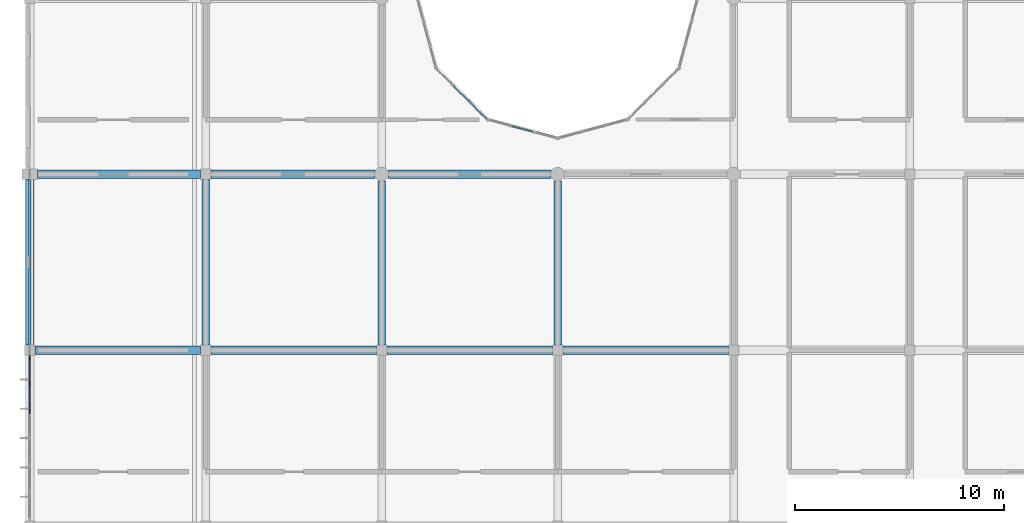
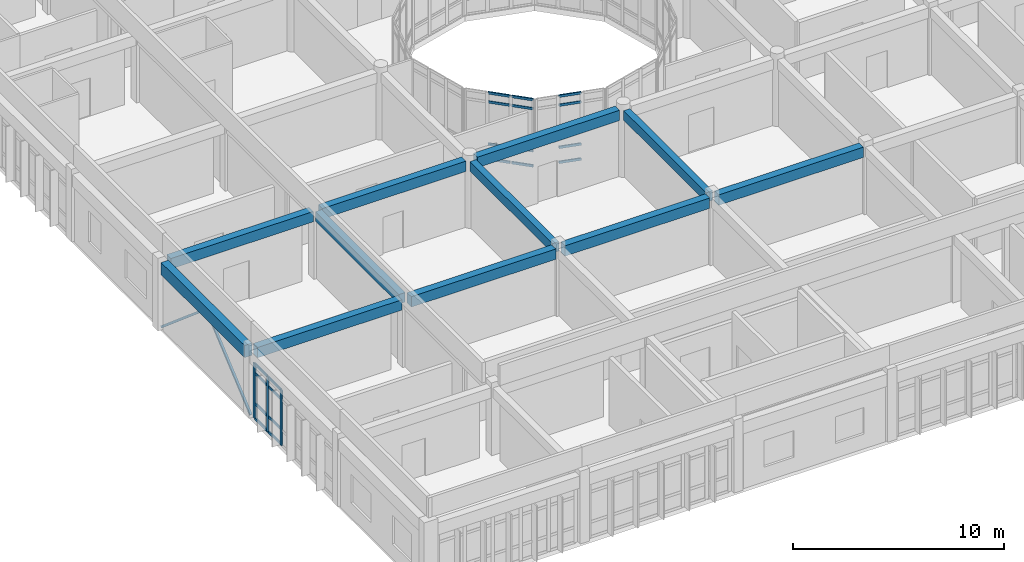
# One storey, part 17 of 119: 25 members, 11 beams, 3 elements without a shape of their own.
"""IFC4 building model written with IfcOpenShell, lengths in metres."""

import ifcopenshell
import ifcopenshell.guid

model = None  # the IFC model being written
_history = None  # IfcOwnerHistory: only IFC2X3 demands one
_inside = {}  # id of a spatial element -> (the spatial element, [elements in it])
_under = {}  # id of a project, library or spatial element -> (it, [spatial elements below it])
_declared = {}  # id of a project -> (the project, [libraries it declares])
_typed = {}  # id of a type object -> (the type object, [elements of that type])
_made_of = {}  # id of a material, layer set ... -> (it, [elements and type objects made of it])


def new_model(schema):
    """Start an empty IFC model of exactly this schema.

    Asked for "IFC4X3", IfcOpenShell would pick the latest addendum, in which some entities
    have other attributes; the version numbers below select the first issue.
    IFC2X3 requires an IfcOwnerHistory on every rooted entity: one is made here for all.
    """
    global model, _history
    if schema == "IFC4X3":
        model = ifcopenshell.file(schema_version=(4, 3, 0, 0))
    else:
        model = ifcopenshell.file(schema=schema)
    _inside.clear()
    _under.clear()
    _declared.clear()
    _typed.clear()
    _made_of.clear()
    _history = None
    if model.schema == "IFC2X3":
        org = make("IfcOrganization", Name="unknown")
        user = make(
            "IfcPersonAndOrganization",
            ThePerson=make("IfcPerson", FamilyName="unknown"),
            TheOrganization=org,
        )
        app = make(
            "IfcApplication",
            ApplicationDeveloper=org,
            Version="unknown",
            ApplicationFullName="unknown",
            ApplicationIdentifier="unknown",
        )
        _history = make(
            "IfcOwnerHistory",
            OwningUser=user,
            OwningApplication=app,
            ChangeAction="ADDED",
            CreationDate=0,
        )
    return model


def make(cls, **values):
    """One entity of the class cls with the attributes given. An attribute that is None is left unset."""
    return model.create_entity(
        cls, **{name: value for name, value in values.items() if value is not None}
    )


def rooted(cls, **values):
    """An entity with a GlobalId (a new one), such as an element, a storey or a relation."""
    return make(cls, GlobalId=ifcopenshell.guid.new(), OwnerHistory=_history, **values)


def si_unit(unit_type, name, prefix=None):
    """IfcSIUnit, for example si_unit("LENGTHUNIT", "METRE", prefix="MILLI")."""
    return make("IfcSIUnit", UnitType=unit_type, Prefix=prefix, Name=name)


def assignment(units):
    """IfcUnitAssignment: the units of a project."""
    return None if units is None else make("IfcUnitAssignment", Units=units)


def point(xyz):
    """IfcCartesianPoint."""
    return None if xyz is None else make("IfcCartesianPoint", Coordinates=xyz)


def direction(xyz):
    """IfcDirection."""
    return None if xyz is None else make("IfcDirection", DirectionRatios=xyz)


def frame(location, z_axis=None, x_axis=None):
    """IfcAxis2Placement3D, a coordinate frame: its origin and axes. An axis left out is left unset."""
    return make(
        "IfcAxis2Placement3D",
        Location=point(location),
        Axis=direction(z_axis),
        RefDirection=direction(x_axis),
    )


def frame_2d(location, x_axis=None):
    """IfcAxis2Placement2D, a coordinate frame in the plane: its origin and x axis."""
    return make(
        "IfcAxis2Placement2D", Location=point(location), RefDirection=direction(x_axis)
    )


def origin():
    """The frame at (0, 0, 0) with its axes left unset."""
    return frame((0.0, 0.0, 0.0))


def origin_2d():
    """The frame at (0, 0) in the plane with its x axis left unset."""
    return frame_2d((0.0, 0.0))


def place(relative_to, where):
    """IfcLocalPlacement: puts the frame where relative to a parent placement (None: the world)."""
    return make(
        "IfcLocalPlacement", PlacementRelTo=relative_to, RelativePlacement=where
    )


def context(
    kind, dimensions, precision=None, world=None, true_north=None, identifier=None
):
    """IfcGeometricRepresentationContext, for example the 3D "Model" context."""
    return make(
        "IfcGeometricRepresentationContext",
        ContextIdentifier=identifier,
        ContextType=kind,
        CoordinateSpaceDimension=dimensions,
        Precision=precision,
        WorldCoordinateSystem=world,
        TrueNorth=true_north,
    )


def subcontext(parent, identifier, kind, view, scale=None):
    """IfcGeometricRepresentationSubContext, for example "Body" below "Model"."""
    return make(
        "IfcGeometricRepresentationSubContext",
        ContextIdentifier=identifier,
        ContextType=kind,
        ParentContext=parent,
        TargetScale=scale,
        TargetView=view,
    )


def project(units=None, contexts=None):
    """IfcProject with its units and contexts."""
    return rooted(
        "IfcProject",
        Name="project",
        RepresentationContexts=contexts,
        UnitsInContext=assignment(units),
    )


def spatial(cls, under=None, at=None, **own):
    """A site, building, storey or space (cls), placed at a placement, below another one or the project."""
    s = rooted(cls, ObjectPlacement=at, **own)
    if under is not None:
        _under.setdefault(under.id(), (under, []))[1].append(s)
    return s


def profile(cls, at=None, kind="AREA", **sizes):
    """A parametric profile (cls). Its sizes go by their IFC names, for example OverallWidth=200.0."""
    return make(cls, ProfileType=kind, Position=at, **sizes)


def rectangle(**sizes):
    """IfcRectangleProfileDef."""
    return profile("IfcRectangleProfileDef", **sizes)


def hollow_rectangle(**sizes):
    """IfcRectangleHollowProfileDef."""
    return profile("IfcRectangleHollowProfileDef", **sizes)


def extrude(swept, where, along, depth):
    """IfcExtrudedAreaSolid: the profile swept, set in the frame where, extruded along a direction by depth."""
    return make(
        "IfcExtrudedAreaSolid",
        SweptArea=swept,
        Position=where,
        ExtrudedDirection=direction(along),
        Depth=depth,
    )


def shape(context_of_items, identifier, shape_type, items):
    """IfcShapeRepresentation: the items that make up one representation, for example the "Body"."""
    return make(
        "IfcShapeRepresentation",
        ContextOfItems=context_of_items,
        RepresentationIdentifier=identifier,
        RepresentationType=shape_type,
        Items=items,
    )


def material(Name=None, Category=None):
    """IfcMaterial."""
    return make("IfcMaterial", Name=Name, Category=Category)


def layer(
    of_material, thickness, ventilated=None, Name=None, Category=None, Priority=None
):
    """IfcMaterialLayer: one layer of a wall or slab, of a material (None: an air gap)."""
    return make(
        "IfcMaterialLayer",
        Material=of_material,
        LayerThickness=thickness,
        IsVentilated=ventilated,
        Name=Name,
        Category=Category,
        Priority=Priority,
    )


def layer_set(layers, Name=None):
    """IfcMaterialLayerSet."""
    return make("IfcMaterialLayerSet", MaterialLayers=layers, LayerSetName=Name)


def material_profile(
    of_material, cross_section, Name=None, Category=None, Priority=None
):
    """IfcMaterialProfile: a cross section and its material."""
    return make(
        "IfcMaterialProfile",
        Name=Name,
        Material=of_material,
        Profile=cross_section,
        Priority=Priority,
        Category=Category,
    )


def profile_set(profiles, Name=None, composite=None):
    """IfcMaterialProfileSet."""
    return make(
        "IfcMaterialProfileSet",
        Name=Name,
        MaterialProfiles=profiles,
        CompositeProfile=composite,
    )


def made_of(thing, what):
    """Note that an element or type object is made of a material, layer set ...; save() writes the relation."""
    if what is not None:
        _made_of.setdefault(what.id(), (what, []))[1].append(thing)
    return thing


def type_object(cls, material=None, **own):
    """A type object (cls), such as IfcWallType, which elements share."""
    return made_of(rooted(cls, **own), material)


def element(
    cls,
    number,
    at=None,
    inside=None,
    cuts=None,
    type_object=None,
    material=None,
    context=None,
    identifier="Body",
    shape_type=None,
    held_by="IfcProductDefinitionShape",
    body=None,
    shapes=None,
    **own,
):
    """One element of the class cls, such as IfcWall. Its Tag is "e" and its number.

    at: its placement. inside: the storey or other place that contains it. cuts: it is an
    opening in that element (IfcRelVoidsElement). A single representation is given by context,
    identifier, shape_type and body (its items); several are given by shapes. held_by: the class
    of the entity that holds the representations. save() writes the other relations.
    """
    e = rooted(cls, Tag="e%d" % number, ObjectPlacement=at, **own)
    if body is not None:
        shapes = [shape(context, identifier, shape_type, body)]
    if shapes is not None:
        e.Representation = make(held_by, Representations=shapes)
    if inside is not None:
        _inside.setdefault(inside.id(), (inside, []))[1].append(e)
    if cuts is not None:
        rooted(
            "IfcRelVoidsElement", RelatingBuildingElement=cuts, RelatedOpeningElement=e
        )
    if type_object is not None:
        _typed.setdefault(type_object.id(), (type_object, []))[1].append(e)
    return made_of(e, material)


def aggregate(whole, parts):
    """IfcRelAggregates: a whole, such as a stair, and the parts it consists of."""
    return rooted("IfcRelAggregates", RelatingObject=whole, RelatedObjects=parts)


def save(model, path):
    """Write the relations noted so far, then the file.

    IfcRelAggregates (storeys below a building ...), IfcRelContainedInSpatialStructure (elements
    in a storey), IfcRelDefinesByType, IfcRelAssociatesMaterial and IfcRelDeclares: one each for
    every whole, place, type object, material and project.
    """
    for whole, parts in _under.values():
        aggregate(whole, parts)
    for where, things in _inside.values():
        rooted(
            "IfcRelContainedInSpatialStructure",
            RelatedElements=things,
            RelatingStructure=where,
        )
    for kind, things in _typed.values():
        rooted("IfcRelDefinesByType", RelatedObjects=things, RelatingType=kind)
    for what, things in _made_of.values():
        rooted("IfcRelAssociatesMaterial", RelatedObjects=things, RelatingMaterial=what)
    for by, libraries in _declared.values():
        rooted("IfcRelDeclares", RelatingContext=by, RelatedDefinitions=libraries)
    model.write(path)


model = new_model("IFC4")

# Units and contexts
model_context = context("Model", 3, precision=1e-05, world=origin(), true_north=direction((0.0, 1.0)))
body_context = subcontext(model_context, "Body", "Model", "MODEL_VIEW")
ifc_project = project(units=[si_unit("LENGTHUNIT", "METRE"), si_unit("AREAUNIT", "SQUARE_METRE"), si_unit("VOLUMEUNIT", "CUBIC_METRE"), si_unit("PLANEANGLEUNIT", "RADIAN"), si_unit("MASSUNIT", "GRAM", prefix="KILO")], contexts=[model_context])

# Site, building, storey
site_placement = place(None, origin())
site = spatial("IfcSite", under=ifc_project, at=site_placement, CompositionType="ELEMENT")
building_placement = place(site_placement, origin())
building = spatial("IfcBuilding", under=site, at=building_placement, Name="Bramfleet General Hospital", CompositionType="ELEMENT")
storey_placement = place(building_placement, frame((0.0, 0.0, 14.39990234375)))
storey = spatial("IfcBuildingStorey", under=building, at=storey_placement, Name="L03", CompositionType="ELEMENT", Elevation=14.39990234375)

# Beams
ifc_material_1 = material(Name="Concrete C35/45", Category="concrete")
ifc_material_profile_1 = material_profile(ifc_material_1, rectangle(XDim=0.35009765625, YDim=0.550048828125, at=origin_2d()), Name="RC BM 550x350")
ifc_profile_set_1 = profile_set([ifc_material_profile_1], Name="Concrete C35/45")
beam_type_1 = type_object("IfcBeamType", Name="BM-RC550", PredefinedType="BEAM", material=ifc_profile_set_1)
beam_1_placement = place(storey_placement, frame((8.39990234375, 67.449951171875, 3.614990234375), z_axis=(0.0, 1.0, 0.0), x_axis=(-1.0, 0.0, 0.0)))
element("IfcBeam", 1, at=beam_1_placement, inside=storey, type_object=beam_type_1, Name="L03 Grid Beam Y 01-08", PredefinedType="BEAM", context=body_context, shape_type="SweptSolid", body=[
    extrude(rectangle(XDim=0.35009765625, YDim=0.550048828125, at=origin_2d()), origin(), (0.0, 0.0, 1.0), 7.900146484375),
])
for number, where, z_axis, x_axis, name in (
    (2, (16.800048828125, 67.449951171875, 3.614990234375), (0.0, 1.0, 0.0), (-1.0, 0.0, 0.0), "L03 Grid Beam Y 02-08"),
    (3, (25.199951171875, 67.449951171875, 3.614990234375), (0.0, 1.0, 0.0), (-1.0, 0.0, 0.0), "L03 Grid Beam Y 03-08"),
):
    element("IfcBeam", number, at=place(storey_placement, frame(where, z_axis=z_axis, x_axis=x_axis)), inside=storey, type_object=beam_type_1, Name=name, PredefinedType="BEAM", context=body_context, shape_type="SweptSolid", body=[
        extrude(rectangle(XDim=0.35009765625, YDim=0.550048828125, at=origin_2d()), origin(), (0.0, 0.0, 1.0), 7.824951171875),
    ])
ifc_material_profile_2 = material_profile(ifc_material_1, rectangle(XDim=0.39990234375, YDim=0.60009765625, at=origin_2d()), Name="RC BM 600x400")
ifc_profile_set_2 = profile_set([ifc_material_profile_2], Name="Concrete C35/45")
beam_type_2 = type_object("IfcBeamType", Name="BM-RC600", PredefinedType="BEAM", material=ifc_profile_set_2)
beam_2_placement = place(storey_placement, frame((0.25, 67.199951171875, 3.60009765625), z_axis=(1.0, 0.0, 0.0), x_axis=(0.0, 1.0, 0.0)))
element("IfcBeam", 4, at=beam_2_placement, inside=storey, type_object=beam_type_2, Name="L03 Grid Beam X 00-08", PredefinedType="BEAM", context=body_context, shape_type="SweptSolid", body=[
    extrude(rectangle(XDim=0.39990234375, YDim=0.60009765625, at=origin_2d()), origin(), (0.0, 0.0, 1.0), 7.89990234375),
])
beam_3_placement = place(storey_placement, frame((0.375, 75.60009765625, 3.60009765625), z_axis=(1.0, 0.0, 0.0), x_axis=(0.0, 1.0, 0.0)))
element("IfcBeam", 5, at=beam_3_placement, inside=storey, type_object=beam_type_2, Name="L03 Grid Beam X 00-09", PredefinedType="BEAM", context=body_context, shape_type="SweptSolid", body=[
    extrude(rectangle(XDim=0.39990234375, YDim=0.60009765625, at=origin_2d()), origin(), (0.0, 0.0, 1.0), 7.77490234375),
])
beam_4_placement = place(storey_placement, frame((8.64990234375, 67.199951171875, 3.590087890625), z_axis=(1.0, 0.0, 0.0), x_axis=(0.0, 1.0, 0.0)))
element("IfcBeam", 6, at=beam_4_placement, inside=storey, type_object=beam_type_2, Name="L03 Grid Beam X 01-08", PredefinedType="BEAM", context=body_context, shape_type="SweptSolid", body=[
    extrude(rectangle(XDim=0.39990234375, YDim=0.60009765625, at=origin_2d()), origin(), (0.0, 0.0, 1.0), 7.900146484375),
])
beam_5_placement = place(storey_placement, frame((8.64990234375, 75.60009765625, 3.590087890625), z_axis=(1.0, 0.0, 0.0), x_axis=(0.0, 1.0, 0.0)))
element("IfcBeam", 7, at=beam_5_placement, inside=storey, type_object=beam_type_2, Name="L03 Grid Beam X 01-09", PredefinedType="BEAM", context=body_context, shape_type="SweptSolid", body=[
    extrude(rectangle(XDim=0.39990234375, YDim=0.60009765625, at=origin_2d()), origin(), (0.0, 0.0, 1.0), 7.8251953125),
])
beam_6_placement = place(storey_placement, frame((17.050048828125, 67.199951171875, 3.590087890625), z_axis=(1.0, 0.0, 0.0), x_axis=(0.0, 1.0, 0.0)))
element("IfcBeam", 8, at=beam_6_placement, inside=storey, type_object=beam_type_2, Name="L03 Grid Beam X 02-08", PredefinedType="BEAM", context=body_context, shape_type="SweptSolid", body=[
    extrude(rectangle(XDim=0.39990234375, YDim=0.60009765625, at=origin_2d()), origin(), (0.0, 0.0, 1.0), 7.89990234375),
])
beam_7_placement = place(storey_placement, frame((17.125, 75.60009765625, 3.590087890625), z_axis=(1.0, 0.0, 0.0), x_axis=(0.0, 1.0, 0.0)))
element("IfcBeam", 9, at=beam_7_placement, inside=storey, type_object=beam_type_2, Name="L03 Grid Beam X 02-09", PredefinedType="BEAM", context=body_context, shape_type="SweptSolid", body=[
    extrude(rectangle(XDim=0.39990234375, YDim=0.60009765625, at=origin_2d()), origin(), (0.0, 0.0, 1.0), 7.75),
])
beam_8_placement = place(storey_placement, frame((25.449951171875, 67.199951171875, 3.590087890625), z_axis=(1.0, 0.0, 0.0), x_axis=(0.0, 1.0, 0.0)))
element("IfcBeam", 10, at=beam_8_placement, inside=storey, type_object=beam_type_2, Name="L03 Grid Beam X 03-08", PredefinedType="BEAM", context=body_context, shape_type="SweptSolid", body=[
    extrude(rectangle(XDim=0.39990234375, YDim=0.60009765625, at=origin_2d()), origin(), (0.0, 0.0, 1.0), 7.900146484375),
])
ifc_material_profile_3 = material_profile(ifc_material_1, rectangle(XDim=0.39990234375, YDim=0.699951171875, at=origin_2d()), Name="RC SP 700x400")
ifc_profile_set_3 = profile_set([ifc_material_profile_3], Name="Concrete C35/45")
beam_type_3 = type_object("IfcBeamType", Name="BM-SP700", PredefinedType="SPANDREL", material=ifc_profile_set_3)
beam_9_placement = place(storey_placement, frame((0.0, 67.449951171875, 3.550048828125), z_axis=(0.0, 1.0, 0.0), x_axis=(-1.0, 0.0, 0.0)))
element("IfcBeam", 11, at=beam_9_placement, inside=storey, type_object=beam_type_3, Name="L03 Grid Beam Y 00-08", PredefinedType="SPANDREL", context=body_context, shape_type="SweptSolid", body=[
    extrude(rectangle(XDim=0.39990234375, YDim=0.699951171875, at=origin_2d()), origin(), (0.0, 0.0, 1.0), 7.900146484375),
])

# Curtain wall, members
ifc_material_2 = material(Name="Anodised aluminium and low-E triple glazing", Category="aluminium")
ifc_layer_1 = layer(ifc_material_2, 0.179931640625, Name="CWT-CW-16")
ifc_layer_set_1 = layer_set([ifc_layer_1], Name="Anodised aluminium and low-E triple glazing")
curtain_wall_type_1 = type_object("IfcCurtainWallType", Name="CWT-CW-16", PredefinedType="USERDEFINED", material=ifc_layer_set_1)
curtain_wall_1_placement = place(storey_placement, origin())
curtain_wall_1 = element("IfcCurtainWall", 12, at=curtain_wall_1_placement, inside=storey, type_object=curtain_wall_type_1, Name="L03 Curtain Wall 142", ObjectType="Stick curtain wall", PredefinedType="USERDEFINED")
ifc_material_3 = material(Name="Structural timber GL28h", Category="wood")
ifc_material_profile_4 = material_profile(ifc_material_3, rectangle(XDim=0.070068359375, YDim=0.18994140625, at=origin_2d()), Name="LARCH 190x70")
ifc_profile_set_4 = profile_set([ifc_material_profile_4], Name="Structural timber GL28h")
member_type_1 = type_object("IfcMemberType", Name="CWM-LARCH450", PredefinedType="MULLION", material=ifc_profile_set_4)
member_1_placement = place(storey_placement, frame((0.0, 64.291748046875, 0.0), z_axis=(0.0, 0.0, 1.0), x_axis=(-1.0, 0.0, 0.0)))
member_1 = element("IfcMember", 13, at=member_1_placement, type_object=member_type_1, Name="CW-16 mullion 5", PredefinedType="MULLION", context=body_context, shape_type="SweptSolid", body=[
    extrude(rectangle(XDim=0.070068359375, YDim=0.18994140625, at=origin_2d()), origin(), (0.0, 0.0, 1.0), 3.190185546875),
])
member_2_placement = place(storey_placement, frame((0.0, 65.583251953125, 0.0), z_axis=(0.0, 0.0, 1.0), x_axis=(-1.0, 0.0, 0.0)))
member_2 = element("IfcMember", 14, at=member_2_placement, type_object=member_type_1, Name="CW-16 mullion 6", PredefinedType="MULLION", context=body_context, shape_type="SweptSolid", body=[
    extrude(rectangle(XDim=0.070068359375, YDim=0.18994140625, at=origin_2d()), origin(), (0.0, 0.0, 1.0), 3.190185546875),
])
member_3_placement = place(storey_placement, frame((0.0, 66.840087890625, 0.0), z_axis=(0.0, 0.0, 1.0), x_axis=(-1.0, 0.0, 0.0)))
member_3 = element("IfcMember", 15, at=member_3_placement, type_object=member_type_1, Name="CW-16 mullion 7", PredefinedType="MULLION", context=body_context, shape_type="SweptSolid", body=[
    extrude(rectangle(XDim=0.070068359375, YDim=0.18994140625, at=origin_2d()), origin(), (0.0, 0.0, 1.0), 3.190185546875),
])

ifc_layer_2 = layer(ifc_material_2, 0.179931640625, Name="CWT-CW-18")
ifc_layer_set_2 = layer_set([ifc_layer_2], Name="Anodised aluminium and low-E triple glazing")
curtain_wall_type_2 = type_object("IfcCurtainWallType", Name="CWT-CW-18", PredefinedType="USERDEFINED", material=ifc_layer_set_2)
curtain_wall_2_placement = place(storey_placement, origin())
curtain_wall_2 = element("IfcCurtainWall", 16, at=curtain_wall_2_placement, inside=storey, type_object=curtain_wall_type_2, Name="L03 West Clinical Light Court Curtain Wall 2.1", ObjectType="Stick curtain wall", PredefinedType="USERDEFINED")
ifc_material_4 = material(Name="Anodised aluminium EN AW-6060", Category="aluminium")
ifc_material_profile_5 = material_profile(ifc_material_4, hollow_rectangle(XDim=0.06494140625, YDim=0.139892578125, WallThickness=0.00390625, at=origin_2d()), Name="ALU 140x65x4.0")
ifc_profile_set_5 = profile_set([ifc_material_profile_5], Name="Anodised aluminium EN AW-6060")
member_type_2 = type_object("IfcMemberType", Name="CWT-ALU140", PredefinedType="USERDEFINED", material=ifc_profile_set_5)
member_4_placement = place(storey_placement, frame((20.239990234375, 79.807861328125, 0.03271484375), z_axis=(0.707106781187, -0.707106781187, 0.0), x_axis=(0.707106781187, 0.707106781187, 0.0)))
member_4 = element("IfcMember", 17, at=member_4_placement, type_object=member_type_2, Name="CW-18 transom 2.1", ObjectType="TRANSOM", PredefinedType="USERDEFINED", context=body_context, shape_type="SweptSolid", body=[
    extrude(hollow_rectangle(XDim=0.06494140625, YDim=0.139892578125, WallThickness=0.00390625, at=origin_2d()), origin(), (0.0, 0.0, 1.0), 1.0859375),
])
member_5_placement = place(storey_placement, frame((20.239990234375, 79.807861328125, 0.900146484375), z_axis=(0.707106781187, -0.707106781187, 0.0), x_axis=(0.707106781187, 0.707106781187, 0.0)))
member_5 = element("IfcMember", 18, at=member_5_placement, type_object=member_type_2, Name="CW-18 transom 2.2", ObjectType="TRANSOM", PredefinedType="USERDEFINED", context=body_context, shape_type="SweptSolid", body=[
    extrude(hollow_rectangle(XDim=0.06494140625, YDim=0.139892578125, WallThickness=0.00390625, at=origin_2d()), origin(), (0.0, 0.0, 1.0), 1.0859375),
])
member_6_placement = place(storey_placement, frame((20.239990234375, 79.807861328125, 3.340087890625), z_axis=(0.707106781187, -0.707106781187, 0.0), x_axis=(0.707106781187, 0.707106781187, 0.0)))
member_6 = element("IfcMember", 19, at=member_6_placement, type_object=member_type_2, Name="CW-18 transom 2.3", ObjectType="TRANSOM", PredefinedType="USERDEFINED", context=body_context, shape_type="SweptSolid", body=[
    extrude(hollow_rectangle(XDim=0.06494140625, YDim=0.139892578125, WallThickness=0.00390625, at=origin_2d()), origin(), (0.0, 0.0, 1.0), 1.0859375),
])
member_7_placement = place(storey_placement, frame((20.239990234375, 79.807861328125, 3.857666015625), z_axis=(0.707106781187, -0.707106781187, 0.0), x_axis=(0.707106781187, 0.707106781187, 0.0)))
member_7 = element("IfcMember", 20, at=member_7_placement, type_object=member_type_2, Name="CW-18 transom 2.4", ObjectType="TRANSOM", PredefinedType="USERDEFINED", context=body_context, shape_type="SweptSolid", body=[
    extrude(hollow_rectangle(XDim=0.06494140625, YDim=0.139892578125, WallThickness=0.00390625, at=origin_2d()), origin(), (0.0, 0.0, 1.0), 1.0859375),
])
member_8_placement = place(storey_placement, frame((21.057373046875, 78.990478515625, 0.03271484375), z_axis=(0.707222938356, -0.706990604933, 0.0), x_axis=(0.706990604933, 0.707222938356, 0.0)))
member_8 = element("IfcMember", 21, at=member_8_placement, type_object=member_type_2, Name="CW-18 transom 3.1", ObjectType="TRANSOM", PredefinedType="USERDEFINED", context=body_context, shape_type="SweptSolid", body=[
    extrude(hollow_rectangle(XDim=0.06494140625, YDim=0.139892578125, WallThickness=0.00390625, at=origin_2d()), origin(), (0.0, 0.0, 1.0), 1.05078125),
])
member_9_placement = place(storey_placement, frame((21.057373046875, 78.990478515625, 0.900146484375), z_axis=(0.707222938356, -0.706990604933, 0.0), x_axis=(0.706990604933, 0.707222938356, 0.0)))
member_9 = element("IfcMember", 22, at=member_9_placement, type_object=member_type_2, Name="CW-18 transom 3.2", ObjectType="TRANSOM", PredefinedType="USERDEFINED", context=body_context, shape_type="SweptSolid", body=[
    extrude(hollow_rectangle(XDim=0.06494140625, YDim=0.139892578125, WallThickness=0.00390625, at=origin_2d()), origin(), (0.0, 0.0, 1.0), 1.05078125),
])
member_10_placement = place(storey_placement, frame((21.057373046875, 78.990478515625, 3.340087890625), z_axis=(0.707222938356, -0.706990604933, 0.0), x_axis=(0.706990604933, 0.707222938356, 0.0)))
member_10 = element("IfcMember", 23, at=member_10_placement, type_object=member_type_2, Name="CW-18 transom 3.3", ObjectType="TRANSOM", PredefinedType="USERDEFINED", context=body_context, shape_type="SweptSolid", body=[
    extrude(hollow_rectangle(XDim=0.06494140625, YDim=0.139892578125, WallThickness=0.00390625, at=origin_2d()), origin(), (0.0, 0.0, 1.0), 1.05078125),
])
member_11_placement = place(storey_placement, frame((21.057373046875, 78.990478515625, 3.857666015625), z_axis=(0.707222938356, -0.706990604933, 0.0), x_axis=(0.706990604933, 0.707222938356, 0.0)))
member_11 = element("IfcMember", 24, at=member_11_placement, type_object=member_type_2, Name="CW-18 transom 3.4", ObjectType="TRANSOM", PredefinedType="USERDEFINED", context=body_context, shape_type="SweptSolid", body=[
    extrude(hollow_rectangle(XDim=0.06494140625, YDim=0.139892578125, WallThickness=0.00390625, at=origin_2d()), origin(), (0.0, 0.0, 1.0), 1.05078125),
])
aggregate(curtain_wall_2, [member_4, member_5, member_6, member_7, member_8, member_9, member_10, member_11])

ifc_layer_3 = layer(ifc_material_2, 0.179931640625, Name="CWT-CW-11")
ifc_layer_set_3 = layer_set([ifc_layer_3], Name="Anodised aluminium and low-E triple glazing")
curtain_wall_type_3 = type_object("IfcCurtainWallType", Name="CWT-CW-11", PredefinedType="USERDEFINED", material=ifc_layer_set_3)
curtain_wall_3_placement = place(storey_placement, origin())
curtain_wall_3 = element("IfcCurtainWall", 25, at=curtain_wall_3_placement, inside=storey, type_object=curtain_wall_type_3, Name="L03 West Clinical Light Court Curtain Wall 3.1", ObjectType="Stick curtain wall", PredefinedType="USERDEFINED")
member_12_placement = place(storey_placement, frame((23.00048828125, 77.8896484375, 0.03271484375), z_axis=(0.965890845787, -0.258949558843, 0.0), x_axis=(0.258949558843, 0.965890845787, 0.0)))
member_12 = element("IfcMember", 26, at=member_12_placement, type_object=member_type_2, Name="CW-11 transom 2.1", ObjectType="TRANSOM", PredefinedType="USERDEFINED", context=body_context, shape_type="SweptSolid", body=[
    extrude(hollow_rectangle(XDim=0.06494140625, YDim=0.139892578125, WallThickness=0.00390625, at=origin_2d()), origin(), (0.0, 0.0, 1.0), 1.086181640625),
])
member_13_placement = place(storey_placement, frame((23.00048828125, 77.8896484375, 0.900146484375), z_axis=(0.965890845787, -0.258949558843, 0.0), x_axis=(0.258949558843, 0.965890845787, 0.0)))
member_13 = element("IfcMember", 27, at=member_13_placement, type_object=member_type_2, Name="CW-11 transom 2.2", ObjectType="TRANSOM", PredefinedType="USERDEFINED", context=body_context, shape_type="SweptSolid", body=[
    extrude(hollow_rectangle(XDim=0.06494140625, YDim=0.139892578125, WallThickness=0.00390625, at=origin_2d()), origin(), (0.0, 0.0, 1.0), 1.086181640625),
])
member_14_placement = place(storey_placement, frame((23.00048828125, 77.8896484375, 3.340087890625), z_axis=(0.965890845787, -0.258949558843, 0.0), x_axis=(0.258949558843, 0.965890845787, 0.0)))
member_14 = element("IfcMember", 28, at=member_14_placement, type_object=member_type_2, Name="CW-11 transom 2.3", ObjectType="TRANSOM", PredefinedType="USERDEFINED", context=body_context, shape_type="SweptSolid", body=[
    extrude(hollow_rectangle(XDim=0.06494140625, YDim=0.139892578125, WallThickness=0.00390625, at=origin_2d()), origin(), (0.0, 0.0, 1.0), 1.086181640625),
])
member_15_placement = place(storey_placement, frame((23.00048828125, 77.8896484375, 3.857666015625), z_axis=(0.965890845787, -0.258949558843, 0.0), x_axis=(0.258949558843, 0.965890845787, 0.0)))
member_15 = element("IfcMember", 29, at=member_15_placement, type_object=member_type_2, Name="CW-11 transom 2.4", ObjectType="TRANSOM", PredefinedType="USERDEFINED", context=body_context, shape_type="SweptSolid", body=[
    extrude(hollow_rectangle(XDim=0.06494140625, YDim=0.139892578125, WallThickness=0.00390625, at=origin_2d()), origin(), (0.0, 0.0, 1.0), 1.086181640625),
])
aggregate(curtain_wall_3, [member_12, member_13, member_14, member_15])

# Member
ifc_material_profile_6 = material_profile(ifc_material_3, rectangle(XDim=0.06494140625, YDim=0.14990234375, at=origin_2d()), Name="LARCH 150x65")
ifc_profile_set_6 = profile_set([ifc_material_profile_6], Name="Structural timber GL28h")
member_type_3 = type_object("IfcMemberType", Name="CWT-LARCH220", PredefinedType="USERDEFINED", material=ifc_profile_set_6)
member_16_placement = place(storey_placement, frame((0.0, 64.32666015625, 0.03271484375), z_axis=(0.0, 1.0, 0.0), x_axis=(-1.0, 0.0, 0.0)))
member_16 = element("IfcMember", 30, at=member_16_placement, type_object=member_type_3, Name="CW-16 transom 5.1", ObjectType="TRANSOM", PredefinedType="USERDEFINED", context=body_context, shape_type="SweptSolid", body=[
    extrude(rectangle(XDim=0.06494140625, YDim=0.14990234375, at=origin_2d()), origin(), (0.0, 0.0, 1.0), 1.2216796875),
])

member_17_placement = place(storey_placement, frame((0.0, 64.32666015625, 0.900146484375), z_axis=(0.0, 1.0, 0.0), x_axis=(-1.0, 0.0, 0.0)))
member_17 = element("IfcMember", 31, at=member_17_placement, type_object=member_type_3, Name="CW-16 transom 5.2", ObjectType="TRANSOM", PredefinedType="USERDEFINED", context=body_context, shape_type="SweptSolid", body=[
    extrude(rectangle(XDim=0.06494140625, YDim=0.14990234375, at=origin_2d()), origin(), (0.0, 0.0, 1.0), 1.2216796875),
])

member_18_placement = place(storey_placement, frame((0.0, 64.32666015625, 2.64013671875), z_axis=(0.0, 1.0, 0.0), x_axis=(-1.0, 0.0, 0.0)))
member_18 = element("IfcMember", 32, at=member_18_placement, type_object=member_type_3, Name="CW-16 transom 5.3", ObjectType="TRANSOM", PredefinedType="USERDEFINED", context=body_context, shape_type="SweptSolid", body=[
    extrude(rectangle(XDim=0.06494140625, YDim=0.14990234375, at=origin_2d()), origin(), (0.0, 0.0, 1.0), 1.2216796875),
])

member_19_placement = place(storey_placement, frame((0.0, 64.32666015625, 3.15771484375), z_axis=(0.0, 1.0, 0.0), x_axis=(-1.0, 0.0, 0.0)))
member_19 = element("IfcMember", 33, at=member_19_placement, type_object=member_type_3, Name="CW-16 transom 5.4", ObjectType="TRANSOM", PredefinedType="USERDEFINED", context=body_context, shape_type="SweptSolid", body=[
    extrude(rectangle(XDim=0.06494140625, YDim=0.14990234375, at=origin_2d()), origin(), (0.0, 0.0, 1.0), 1.2216796875),
])

member_20_placement = place(storey_placement, frame((0.0, 65.618408203125, 0.03271484375), z_axis=(0.0, 1.0, 0.0), x_axis=(-1.0, 0.0, 0.0)))
member_20 = element("IfcMember", 34, at=member_20_placement, type_object=member_type_3, Name="CW-16 transom 6.1", ObjectType="TRANSOM", PredefinedType="USERDEFINED", context=body_context, shape_type="SweptSolid", body=[
    extrude(rectangle(XDim=0.06494140625, YDim=0.14990234375, at=origin_2d()), origin(), (0.0, 0.0, 1.0), 1.1865234375),
])

member_21_placement = place(storey_placement, frame((0.0, 65.618408203125, 0.900146484375), z_axis=(0.0, 1.0, 0.0), x_axis=(-1.0, 0.0, 0.0)))
member_21 = element("IfcMember", 35, at=member_21_placement, type_object=member_type_3, Name="CW-16 transom 6.2", ObjectType="TRANSOM", PredefinedType="USERDEFINED", context=body_context, shape_type="SweptSolid", body=[
    extrude(rectangle(XDim=0.06494140625, YDim=0.14990234375, at=origin_2d()), origin(), (0.0, 0.0, 1.0), 1.1865234375),
])

member_22_placement = place(storey_placement, frame((0.0, 65.618408203125, 2.64013671875), z_axis=(0.0, 1.0, 0.0), x_axis=(-1.0, 0.0, 0.0)))
member_22 = element("IfcMember", 36, at=member_22_placement, type_object=member_type_3, Name="CW-16 transom 6.3", ObjectType="TRANSOM", PredefinedType="USERDEFINED", context=body_context, shape_type="SweptSolid", body=[
    extrude(rectangle(XDim=0.06494140625, YDim=0.14990234375, at=origin_2d()), origin(), (0.0, 0.0, 1.0), 1.1865234375),
])

member_23_placement = place(storey_placement, frame((0.0, 65.618408203125, 3.15771484375), z_axis=(0.0, 1.0, 0.0), x_axis=(-1.0, 0.0, 0.0)))
member_23 = element("IfcMember", 37, at=member_23_placement, type_object=member_type_3, Name="CW-16 transom 6.4", ObjectType="TRANSOM", PredefinedType="USERDEFINED", context=body_context, shape_type="SweptSolid", body=[
    extrude(rectangle(XDim=0.06494140625, YDim=0.14990234375, at=origin_2d()), origin(), (0.0, 0.0, 1.0), 1.1865234375),
])

aggregate(curtain_wall_1, [member_1, member_2, member_3, member_16, member_17, member_18, member_19, member_20, member_21, member_22, member_23])

# Members
ifc_material_5 = material(Name="Steel S355", Category="steel")
ifc_material_profile_7 = material_profile(ifc_material_5, hollow_rectangle(XDim=0.1201171875, YDim=0.1201171875, WallThickness=0.008056640625, at=origin_2d()), Name="SHS 120x120x8.0")
ifc_profile_set_7 = profile_set([ifc_material_profile_7], Name="Steel S355")
member_type_4 = type_object("IfcMemberType", Name="MEM-BR-SHS120", PredefinedType="BRACE", material=ifc_profile_set_7)
member_24_placement = place(storey_placement, frame((0.0, 67.199951171875, -0.02001953125), z_axis=(0.0, 0.761929482481, 0.647659990834), x_axis=(-1.0, 0.0, 0.0)))
element("IfcMember", 38, at=member_24_placement, inside=storey, type_object=member_type_4, Name="L03 Chevron Brace 10A", PredefinedType="BRACE", context=body_context, shape_type="SweptSolid", body=[
    extrude(hollow_rectangle(XDim=0.1201171875, YDim=0.1201171875, WallThickness=0.008056640625, at=origin_2d()), origin(), (0.0, 0.0, 1.0), 5.51220703125),
])
member_25_placement = place(storey_placement, frame((0.0, 75.60009765625, -0.02001953125), z_axis=(0.0, -0.761948059787, 0.647638135217), x_axis=(1.0, 0.0, 0.0)))
element("IfcMember", 39, at=member_25_placement, inside=storey, type_object=member_type_4, Name="L03 Chevron Brace 10B", PredefinedType="BRACE", context=body_context, shape_type="SweptSolid", body=[
    extrude(hollow_rectangle(XDim=0.1201171875, YDim=0.1201171875, WallThickness=0.008056640625, at=origin_2d()), origin(), (0.0, 0.0, 1.0), 5.512451171875),
])

save(model, "model.ifc")
